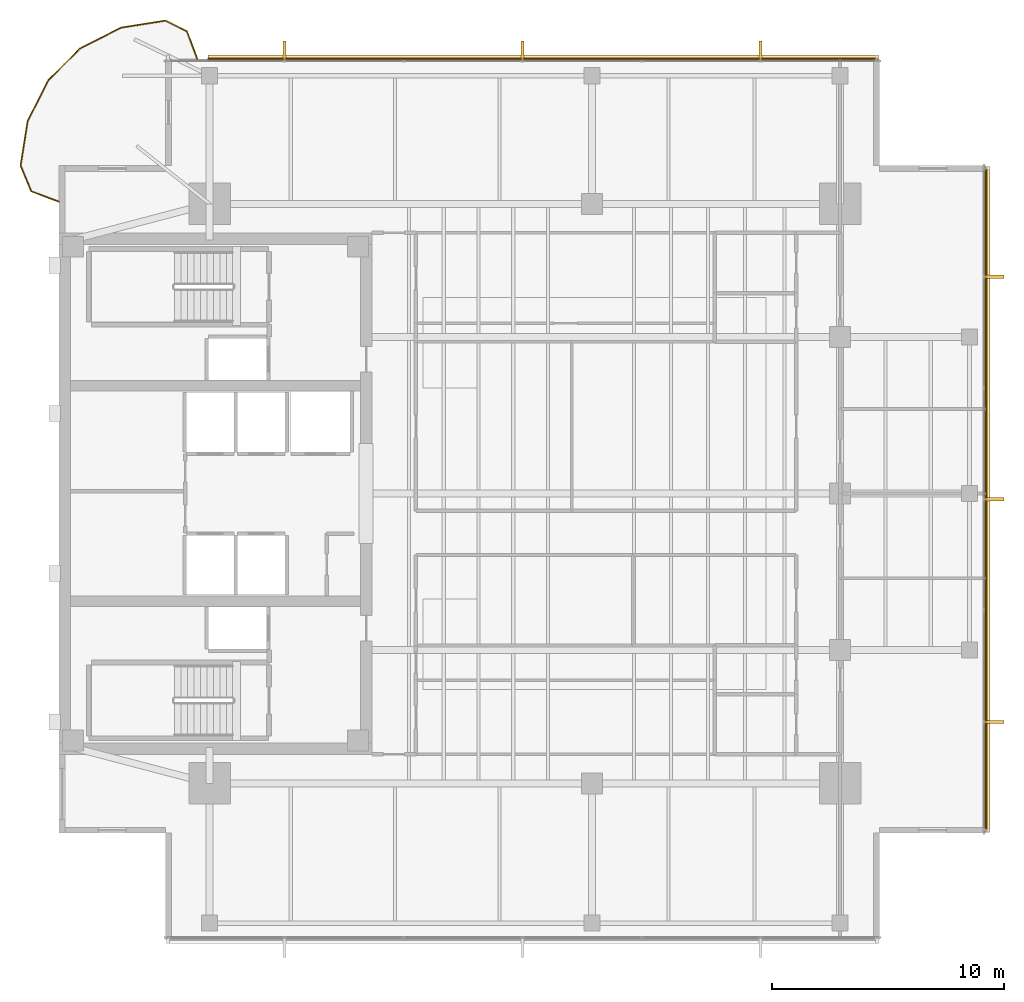
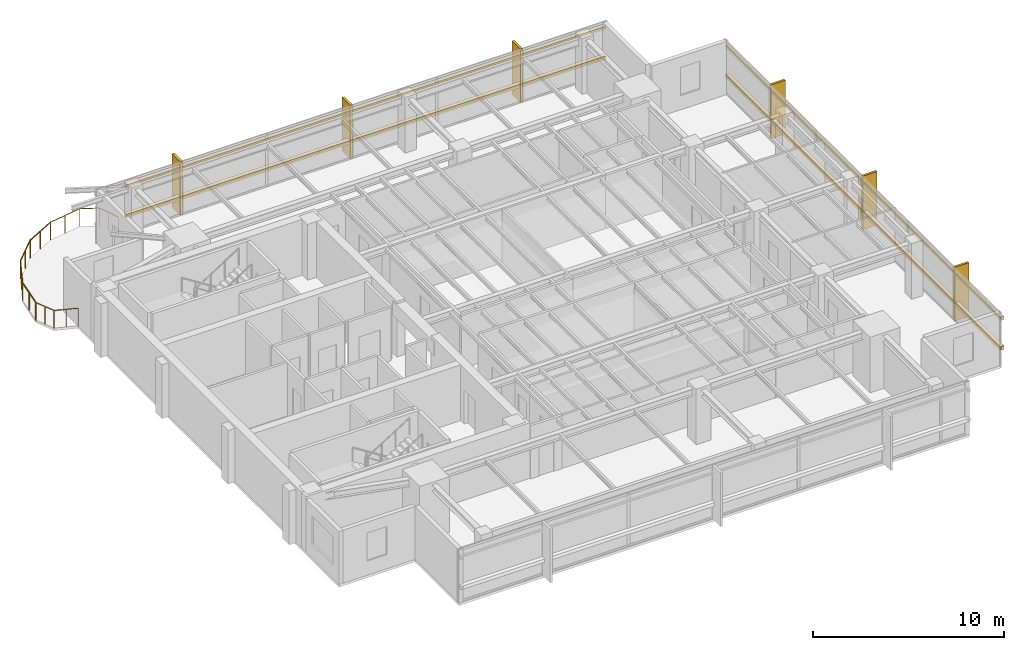
# One storey, part 14 of 14: 10 coverings, 9 railings, 4 shading devices.
"""IFC4 building model written with IfcOpenShell, lengths in metres."""

import ifcopenshell
import ifcopenshell.guid

model = None  # the IFC model being written
_history = None  # IfcOwnerHistory: only IFC2X3 demands one
_inside = {}  # id of a spatial element -> (the spatial element, [elements in it])
_under = {}  # id of a project, library or spatial element -> (it, [spatial elements below it])
_declared = {}  # id of a project -> (the project, [libraries it declares])
_typed = {}  # id of a type object -> (the type object, [elements of that type])
_made_of = {}  # id of a material, layer set ... -> (it, [elements and type objects made of it])


def new_model(schema):
    """Start an empty IFC model of exactly this schema.

    Asked for "IFC4X3", IfcOpenShell would pick the latest addendum, in which some entities
    have other attributes; the version numbers below select the first issue.
    IFC2X3 requires an IfcOwnerHistory on every rooted entity: one is made here for all.
    """
    global model, _history
    if schema == "IFC4X3":
        model = ifcopenshell.file(schema_version=(4, 3, 0, 0))
    else:
        model = ifcopenshell.file(schema=schema)
    _inside.clear()
    _under.clear()
    _declared.clear()
    _typed.clear()
    _made_of.clear()
    _history = None
    if model.schema == "IFC2X3":
        org = make("IfcOrganization", Name="unknown")
        user = make(
            "IfcPersonAndOrganization",
            ThePerson=make("IfcPerson", FamilyName="unknown"),
            TheOrganization=org,
        )
        app = make(
            "IfcApplication",
            ApplicationDeveloper=org,
            Version="unknown",
            ApplicationFullName="unknown",
            ApplicationIdentifier="unknown",
        )
        _history = make(
            "IfcOwnerHistory",
            OwningUser=user,
            OwningApplication=app,
            ChangeAction="ADDED",
            CreationDate=0,
        )
    return model


def make(cls, **values):
    """One entity of the class cls with the attributes given. An attribute that is None is left unset."""
    return model.create_entity(
        cls, **{name: value for name, value in values.items() if value is not None}
    )


def rooted(cls, **values):
    """An entity with a GlobalId (a new one), such as an element, a storey or a relation."""
    return make(cls, GlobalId=ifcopenshell.guid.new(), OwnerHistory=_history, **values)


def si_unit(unit_type, name, prefix=None):
    """IfcSIUnit, for example si_unit("LENGTHUNIT", "METRE", prefix="MILLI")."""
    return make("IfcSIUnit", UnitType=unit_type, Prefix=prefix, Name=name)


def assignment(units):
    """IfcUnitAssignment: the units of a project."""
    return None if units is None else make("IfcUnitAssignment", Units=units)


def point(xyz):
    """IfcCartesianPoint."""
    return None if xyz is None else make("IfcCartesianPoint", Coordinates=xyz)


def direction(xyz):
    """IfcDirection."""
    return None if xyz is None else make("IfcDirection", DirectionRatios=xyz)


def frame(location, z_axis=None, x_axis=None):
    """IfcAxis2Placement3D, a coordinate frame: its origin and axes. An axis left out is left unset."""
    return make(
        "IfcAxis2Placement3D",
        Location=point(location),
        Axis=direction(z_axis),
        RefDirection=direction(x_axis),
    )


def frame_2d(location, x_axis=None):
    """IfcAxis2Placement2D, a coordinate frame in the plane: its origin and x axis."""
    return make(
        "IfcAxis2Placement2D", Location=point(location), RefDirection=direction(x_axis)
    )


def origin():
    """The frame at (0, 0, 0) with its axes left unset."""
    return frame((0.0, 0.0, 0.0))


def origin_2d():
    """The frame at (0, 0) in the plane with its x axis left unset."""
    return frame_2d((0.0, 0.0))


def place(relative_to, where):
    """IfcLocalPlacement: puts the frame where relative to a parent placement (None: the world)."""
    return make(
        "IfcLocalPlacement", PlacementRelTo=relative_to, RelativePlacement=where
    )


def context(
    kind, dimensions, precision=None, world=None, true_north=None, identifier=None
):
    """IfcGeometricRepresentationContext, for example the 3D "Model" context."""
    return make(
        "IfcGeometricRepresentationContext",
        ContextIdentifier=identifier,
        ContextType=kind,
        CoordinateSpaceDimension=dimensions,
        Precision=precision,
        WorldCoordinateSystem=world,
        TrueNorth=true_north,
    )


def subcontext(parent, identifier, kind, view, scale=None):
    """IfcGeometricRepresentationSubContext, for example "Body" below "Model"."""
    return make(
        "IfcGeometricRepresentationSubContext",
        ContextIdentifier=identifier,
        ContextType=kind,
        ParentContext=parent,
        TargetScale=scale,
        TargetView=view,
    )


def project(units=None, contexts=None):
    """IfcProject with its units and contexts."""
    return rooted(
        "IfcProject",
        Name="project",
        RepresentationContexts=contexts,
        UnitsInContext=assignment(units),
    )


def spatial(cls, under=None, at=None, **own):
    """A site, building, storey or space (cls), placed at a placement, below another one or the project."""
    s = rooted(cls, ObjectPlacement=at, **own)
    if under is not None:
        _under.setdefault(under.id(), (under, []))[1].append(s)
    return s


def polyline(points):
    """IfcPolyline through the points."""
    return make("IfcPolyline", Points=[point(p) for p in points])


def profile(cls, at=None, kind="AREA", **sizes):
    """A parametric profile (cls). Its sizes go by their IFC names, for example OverallWidth=200.0."""
    return make(cls, ProfileType=kind, Position=at, **sizes)


def rectangle(**sizes):
    """IfcRectangleProfileDef."""
    return profile("IfcRectangleProfileDef", **sizes)


def circle(**sizes):
    """IfcCircleProfileDef."""
    return profile("IfcCircleProfileDef", **sizes)


def outline(outer, holes=None, kind="AREA"):
    """IfcArbitraryClosedProfileDef: a profile drawn as a closed curve; with holes, ...WithVoids."""
    if holes is None:
        return make("IfcArbitraryClosedProfileDef", ProfileType=kind, OuterCurve=outer)
    return make(
        "IfcArbitraryProfileDefWithVoids",
        ProfileType=kind,
        OuterCurve=outer,
        InnerCurves=holes,
    )


def extrude(swept, where, along, depth):
    """IfcExtrudedAreaSolid: the profile swept, set in the frame where, extruded along a direction by depth."""
    return make(
        "IfcExtrudedAreaSolid",
        SweptArea=swept,
        Position=where,
        ExtrudedDirection=direction(along),
        Depth=depth,
    )


def shape(context_of_items, identifier, shape_type, items):
    """IfcShapeRepresentation: the items that make up one representation, for example the "Body"."""
    return make(
        "IfcShapeRepresentation",
        ContextOfItems=context_of_items,
        RepresentationIdentifier=identifier,
        RepresentationType=shape_type,
        Items=items,
    )


def material(Name=None, Category=None):
    """IfcMaterial."""
    return make("IfcMaterial", Name=Name, Category=Category)


def layer(
    of_material, thickness, ventilated=None, Name=None, Category=None, Priority=None
):
    """IfcMaterialLayer: one layer of a wall or slab, of a material (None: an air gap)."""
    return make(
        "IfcMaterialLayer",
        Material=of_material,
        LayerThickness=thickness,
        IsVentilated=ventilated,
        Name=Name,
        Category=Category,
        Priority=Priority,
    )


def layer_set(layers, Name=None):
    """IfcMaterialLayerSet."""
    return make("IfcMaterialLayerSet", MaterialLayers=layers, LayerSetName=Name)


def material_profile(
    of_material, cross_section, Name=None, Category=None, Priority=None
):
    """IfcMaterialProfile: a cross section and its material."""
    return make(
        "IfcMaterialProfile",
        Name=Name,
        Material=of_material,
        Profile=cross_section,
        Priority=Priority,
        Category=Category,
    )


def profile_set(profiles, Name=None, composite=None):
    """IfcMaterialProfileSet."""
    return make(
        "IfcMaterialProfileSet",
        Name=Name,
        MaterialProfiles=profiles,
        CompositeProfile=composite,
    )


def made_of(thing, what):
    """Note that an element or type object is made of a material, layer set ...; save() writes the relation."""
    if what is not None:
        _made_of.setdefault(what.id(), (what, []))[1].append(thing)
    return thing


def type_object(cls, material=None, **own):
    """A type object (cls), such as IfcWallType, which elements share."""
    return made_of(rooted(cls, **own), material)


def element(
    cls,
    number,
    at=None,
    inside=None,
    cuts=None,
    type_object=None,
    material=None,
    context=None,
    identifier="Body",
    shape_type=None,
    held_by="IfcProductDefinitionShape",
    body=None,
    shapes=None,
    **own,
):
    """One element of the class cls, such as IfcWall. Its Tag is "e" and its number.

    at: its placement. inside: the storey or other place that contains it. cuts: it is an
    opening in that element (IfcRelVoidsElement). A single representation is given by context,
    identifier, shape_type and body (its items); several are given by shapes. held_by: the class
    of the entity that holds the representations. save() writes the other relations.
    """
    e = rooted(cls, Tag="e%d" % number, ObjectPlacement=at, **own)
    if body is not None:
        shapes = [shape(context, identifier, shape_type, body)]
    if shapes is not None:
        e.Representation = make(held_by, Representations=shapes)
    if inside is not None:
        _inside.setdefault(inside.id(), (inside, []))[1].append(e)
    if cuts is not None:
        rooted(
            "IfcRelVoidsElement", RelatingBuildingElement=cuts, RelatedOpeningElement=e
        )
    if type_object is not None:
        _typed.setdefault(type_object.id(), (type_object, []))[1].append(e)
    return made_of(e, material)


def aggregate(whole, parts):
    """IfcRelAggregates: a whole, such as a stair, and the parts it consists of."""
    return rooted("IfcRelAggregates", RelatingObject=whole, RelatedObjects=parts)


def save(model, path):
    """Write the relations noted so far, then the file.

    IfcRelAggregates (storeys below a building ...), IfcRelContainedInSpatialStructure (elements
    in a storey), IfcRelDefinesByType, IfcRelAssociatesMaterial and IfcRelDeclares: one each for
    every whole, place, type object, material and project.
    """
    for whole, parts in _under.values():
        aggregate(whole, parts)
    for where, things in _inside.values():
        rooted(
            "IfcRelContainedInSpatialStructure",
            RelatedElements=things,
            RelatingStructure=where,
        )
    for kind, things in _typed.values():
        rooted("IfcRelDefinesByType", RelatedObjects=things, RelatingType=kind)
    for what, things in _made_of.values():
        rooted("IfcRelAssociatesMaterial", RelatedObjects=things, RelatingMaterial=what)
    for by, libraries in _declared.values():
        rooted("IfcRelDeclares", RelatingContext=by, RelatedDefinitions=libraries)
    model.write(path)


model = new_model("IFC4")

# Units and contexts
model_context = context("Model", 3, precision=1e-05, world=origin(), true_north=direction((0.0, 1.0)))
body_context = subcontext(model_context, "Body", "Model", "MODEL_VIEW")
ifc_project = project(units=[si_unit("LENGTHUNIT", "METRE"), si_unit("AREAUNIT", "SQUARE_METRE"), si_unit("VOLUMEUNIT", "CUBIC_METRE"), si_unit("PLANEANGLEUNIT", "RADIAN"), si_unit("MASSUNIT", "GRAM", prefix="KILO")], contexts=[model_context])

# Site, building, storey
site_placement = place(None, origin())
site = spatial("IfcSite", under=ifc_project, at=site_placement, CompositionType="ELEMENT")
building_placement = place(site_placement, origin())
building = spatial("IfcBuilding", under=site, at=building_placement, Name="Kinhvarn Gate Tower", CompositionType="ELEMENT")
storey_placement = place(building_placement, frame((0.0, 0.0, 256.35009765625)))
storey = spatial("IfcBuildingStorey", under=building, at=storey_placement, Name="L68", CompositionType="ELEMENT", Elevation=256.35009765625)

# Coverings
ifc_material_1 = material(Name="Fired architectural terracotta", Category="masonry")
ifc_layer_1 = layer(ifc_material_1, 0.239990234375)
ifc_layer_set_1 = layer_set([ifc_layer_1], Name="Fired architectural terracotta")
covering_type_1 = type_object("IfcCoveringType", Name="COV-BAG-220", PredefinedType="CLADDING", material=ifc_layer_set_1)
for number, where, name in (
    (1, (0.0, 0.0, 0.93994140625), "Terracotta Horizontal Sunscreen Band TBG-220 (L68)"),
    (2, (0.0, 0.0, 2.829833984375), "Terracotta Horizontal Sunscreen Band TBG-220 (L68)"),
):
    element("IfcCovering", number, at=place(storey_placement, frame(where)), inside=storey, type_object=covering_type_1, Name=name, PredefinedType="CLADDING", context=body_context, shape_type="SweptSolid", body=[
        extrude(outline(polyline([(39.860107421875, 43.929931640625), (10.919921875, 43.929931640625), (10.919921875, 44.169921875), (39.860107421875, 44.169921875), (39.860107421875, 43.929931640625)])), origin(), (0.0, 0.0, 1.0), 0.219970703125),
    ])
for number, where, name in (
    (3, (0.0, 0.0, 0.93994140625), "Terracotta Horizontal Sunscreen Band TBG-220 (L68)"),
    (4, (0.0, 0.0, 2.829833984375), "Terracotta Horizontal Sunscreen Band TBG-220 (L68)"),
):
    element("IfcCovering", number, at=place(storey_placement, frame(where)), inside=storey, type_object=covering_type_1, Name=name, PredefinedType="CLADDING", context=body_context, shape_type="SweptSolid", body=[
        extrude(outline(polyline([(44.429931640625, 10.639892578125), (44.429931640625, 39.360107421875), (44.669921875, 39.360107421875), (44.669921875, 10.639892578125), (44.429931640625, 10.639892578125)])), origin(), (0.0, 0.0, 1.0), 0.219970703125),
    ])
ifc_layer_2 = layer(ifc_material_1, 0.139892578125)
ifc_layer_set_2 = layer_set([ifc_layer_2], Name="Fired architectural terracotta")
covering_type_2 = type_object("IfcCoveringType", Name="COV-FIN-850", PredefinedType="CLADDING", material=ifc_layer_set_2)
covering_1_placement = place(storey_placement, frame((0.0, 0.0, -0.02001953125)))
element("IfcCovering", 5, at=covering_1_placement, inside=storey, type_object=covering_type_2, Name="Vertical Terracotta Expressive Fin TFN-850 (L68)", PredefinedType="CLADDING", context=body_context, shape_type="SweptSolid", body=[
    extrude(outline(polyline([(34.836669921875, 43.919921875), (34.69677734375, 43.919921875), (34.69677734375, 44.77001953125), (34.836669921875, 44.77001953125), (34.836669921875, 43.919921875)])), origin(), (0.0, 0.0, 1.0), 3.429931640625),
])
covering_2_placement = place(storey_placement, frame((0.0, 0.0, -0.02001953125)))
element("IfcCovering", 6, at=covering_2_placement, inside=storey, type_object=covering_type_2, Name="Vertical Terracotta Expressive Fin TFN-850 (L68)", PredefinedType="CLADDING", context=body_context, shape_type="SweptSolid", body=[
    extrude(outline(polyline([(24.570068359375, 43.919921875), (24.429931640625, 43.919921875), (24.429931640625, 44.77001953125), (24.570068359375, 44.77001953125), (24.570068359375, 43.919921875)])), origin(), (0.0, 0.0, 1.0), 3.429931640625),
])
covering_3_placement = place(storey_placement, frame((0.0, 0.0, -0.02001953125)))
element("IfcCovering", 7, at=covering_3_placement, inside=storey, type_object=covering_type_2, Name="Vertical Terracotta Expressive Fin TFN-850 (L68)", PredefinedType="CLADDING", context=body_context, shape_type="SweptSolid", body=[
    extrude(outline(polyline([(14.30322265625, 43.919921875), (14.163330078125, 43.919921875), (14.163330078125, 44.77001953125), (14.30322265625, 44.77001953125), (14.30322265625, 43.919921875)])), origin(), (0.0, 0.0, 1.0), 3.429931640625),
])
covering_4_placement = place(storey_placement, frame((0.0, 0.0, -0.02001953125)))
element("IfcCovering", 8, at=covering_4_placement, inside=storey, type_object=covering_type_2, Name="Vertical Terracotta Expressive Fin TFN-850 (L68)", PredefinedType="CLADDING", context=body_context, shape_type="SweptSolid", body=[
    extrude(outline(polyline([(44.419921875, 15.330078125), (44.419921875, 15.469970703125), (45.27001953125, 15.469970703125), (45.27001953125, 15.330078125), (44.419921875, 15.330078125)])), origin(), (0.0, 0.0, 1.0), 3.429931640625),
])
covering_5_placement = place(storey_placement, frame((0.0, 0.0, -0.02001953125)))
element("IfcCovering", 9, at=covering_5_placement, inside=storey, type_object=covering_type_2, Name="Vertical Terracotta Expressive Fin TFN-850 (L68)", PredefinedType="CLADDING", context=body_context, shape_type="SweptSolid", body=[
    extrude(outline(polyline([(44.419921875, 24.929931640625), (44.419921875, 25.070068359375), (45.27001953125, 25.070068359375), (45.27001953125, 24.929931640625), (44.419921875, 24.929931640625)])), origin(), (0.0, 0.0, 1.0), 3.429931640625),
])
covering_6_placement = place(storey_placement, frame((0.0, 0.0, -0.02001953125)))
element("IfcCovering", 10, at=covering_6_placement, inside=storey, type_object=covering_type_2, Name="Vertical Terracotta Expressive Fin TFN-850 (L68)", PredefinedType="CLADDING", context=body_context, shape_type="SweptSolid", body=[
    extrude(outline(polyline([(44.419921875, 34.530029296875), (44.419921875, 34.669921875), (45.27001953125, 34.669921875), (45.27001953125, 34.530029296875), (44.419921875, 34.530029296875)])), origin(), (0.0, 0.0, 1.0), 3.429931640625),
])

# Railings
ifc_material_2 = material(Name="Clear low-e double glazing", Category="glass")
railing_type = type_object("IfcRailingType", Name="RL-BAL-1150", PredefinedType="BALUSTRADE", material=ifc_material_2)
railing_1_placement = place(storey_placement, frame((10.469970703125, 44.0, 0.0)))
element("IfcRailing", 11, at=railing_1_placement, inside=storey, type_object=railing_type, Name="S-Carve Balcony Guardrail Seg 1 (L68)", PredefinedType="BALUSTRADE", context=body_context, shape_type="SweptSolid", body=[
    extrude(circle(Radius=0.02392578125, at=origin_2d()), frame((0.0, 0.0, 1.1259765625), z_axis=(-0.352864351056, 0.935674489208, 0.0), x_axis=(-0.935674489208, -0.352864351056, 0.0)), (0.0, 0.0, 1.0), 1.275146484375),
    extrude(circle(Radius=0.02099609375, at=origin_2d()), origin(), (0.0, 0.0, 1.0), 1.101806640625),
    extrude(circle(Radius=0.02099609375, at=origin_2d()), frame((-0.22509765625, 0.5966796875, 0.0)), (0.0, 0.0, 1.0), 1.101806640625),
    extrude(circle(Radius=0.02099609375, at=origin_2d()), frame((-0.449951171875, 1.193115234375, 0.0)), (0.0, 0.0, 1.0), 1.101806640625),
])
railing_2_placement = place(storey_placement, frame((10.02001953125, 45.193115234375, 0.0)))
element("IfcRailing", 12, at=railing_2_placement, inside=storey, type_object=railing_type, Name="S-Carve Balcony Guardrail Seg 2 (L68)", PredefinedType="BALUSTRADE", context=body_context, shape_type="SweptSolid", body=[
    extrude(circle(Radius=0.02392578125, at=origin_2d()), frame((0.0, 0.0, 1.1259765625), z_axis=(-0.892905435572, 0.450244248298, 0.0), x_axis=(-0.450244248298, -0.892905435572, 0.0)), (0.0, 0.0, 1.0), 1.0302734375),
    extrude(circle(Radius=0.02099609375, at=origin_2d()), origin(), (0.0, 0.0, 1.0), 1.101806640625),
    extrude(circle(Radius=0.02099609375, at=origin_2d()), frame((-0.919921875, 0.4638671875, 0.0)), (0.0, 0.0, 1.0), 1.101806640625),
])
railing_3_placement = place(storey_placement, frame((9.10009765625, 45.656982421875, 0.0)))
element("IfcRailing", 13, at=railing_3_placement, inside=storey, type_object=railing_type, Name="S-Carve Balcony Guardrail Seg 3 (L68)", PredefinedType="BALUSTRADE", context=body_context, shape_type="SweptSolid", body=[
    extrude(circle(Radius=0.02392578125, at=origin_2d()), frame((0.0, 0.0, 1.1259765625), z_axis=(-0.987696138675, -0.156385221957, 0.0), x_axis=(0.156385221957, -0.987696138675, 0.0)), (0.0, 0.0, 1.0), 1.957763671875),
    extrude(circle(Radius=0.02099609375, at=origin_2d()), origin(), (0.0, 0.0, 1.0), 1.101806640625),
    extrude(circle(Radius=0.02099609375, at=origin_2d()), frame((-0.966796875, -0.153076171875, 0.0)), (0.0, 0.0, 1.0), 1.101806640625),
    extrude(circle(Radius=0.02099609375, at=origin_2d()), frame((-1.93359375, -0.30615234375, 0.0)), (0.0, 0.0, 1.0), 1.101806640625),
])
railing_4_placement = place(storey_placement, frame((7.16650390625, 45.350830078125, 0.0)))
element("IfcRailing", 14, at=railing_4_placement, inside=storey, type_object=railing_type, Name="S-Carve Balcony Guardrail Seg 4 (L68)", PredefinedType="BALUSTRADE", context=body_context, shape_type="SweptSolid", body=[
    extrude(circle(Radius=0.02392578125, at=origin_2d()), frame((0.0, 0.0, 1.1259765625), z_axis=(-0.890984295017, -0.454034124305, 0.0), x_axis=(0.454034124305, -0.890984295017, 0.0)), (0.0, 0.0, 1.0), 1.957763671875),
    extrude(circle(Radius=0.02099609375, at=origin_2d()), origin(), (0.0, 0.0, 1.0), 1.101806640625),
    extrude(circle(Radius=0.02099609375, at=origin_2d()), frame((-0.8720703125, -0.4443359375, 0.0)), (0.0, 0.0, 1.0), 1.101806640625),
    extrude(circle(Radius=0.02099609375, at=origin_2d()), frame((-1.744384765625, -0.888916015625, 0.0)), (0.0, 0.0, 1.0), 1.101806640625),
])
railing_5_placement = place(storey_placement, frame((5.422119140625, 44.4619140625, 0.0)))
element("IfcRailing", 15, at=railing_5_placement, inside=storey, type_object=railing_type, Name="S-Carve Balcony Guardrail Seg 5 (L68)", PredefinedType="BALUSTRADE", context=body_context, shape_type="SweptSolid", body=[
    extrude(circle(Radius=0.02392578125, at=origin_2d()), frame((0.0, 0.0, 1.1259765625), z_axis=(-0.707106781187, -0.707106781187, 0.0), x_axis=(0.707106781187, -0.707106781187, 0.0)), (0.0, 0.0, 1.0), 1.957275390625),
    extrude(circle(Radius=0.02099609375, at=origin_2d()), origin(), (0.0, 0.0, 1.0), 1.101806640625),
    extrude(circle(Radius=0.02099609375, at=origin_2d()), frame((-0.69189453125, -0.69189453125, 0.0)), (0.0, 0.0, 1.0), 1.101806640625),
    extrude(circle(Radius=0.02099609375, at=origin_2d()), frame((-1.384033203125, -1.384033203125, 0.0)), (0.0, 0.0, 1.0), 1.101806640625),
])
railing_6_placement = place(storey_placement, frame((4.0380859375, 43.077880859375, 0.0)))
element("IfcRailing", 16, at=railing_6_placement, inside=storey, type_object=railing_type, Name="S-Carve Balcony Guardrail Seg 6 (L68)", PredefinedType="BALUSTRADE", context=body_context, shape_type="SweptSolid", body=[
    extrude(circle(Radius=0.02392578125, at=origin_2d()), frame((0.0, 0.0, 1.1259765625), z_axis=(-0.454034124305, -0.890984295017, 0.0), x_axis=(0.890984295017, -0.454034124305, 0.0)), (0.0, 0.0, 1.0), 1.957763671875),
    extrude(circle(Radius=0.02099609375, at=origin_2d()), origin(), (0.0, 0.0, 1.0), 1.101806640625),
    extrude(circle(Radius=0.02099609375, at=origin_2d()), frame((-0.4443359375, -0.8720703125, 0.0)), (0.0, 0.0, 1.0), 1.101806640625),
    extrude(circle(Radius=0.02099609375, at=origin_2d()), frame((-0.888916015625, -1.744384765625, 0.0)), (0.0, 0.0, 1.0), 1.101806640625),
])
railing_7_placement = place(storey_placement, frame((3.149169921875, 41.33349609375, 0.0)))
element("IfcRailing", 17, at=railing_7_placement, inside=storey, type_object=railing_type, Name="S-Carve Balcony Guardrail Seg 7 (L68)", PredefinedType="BALUSTRADE", context=body_context, shape_type="SweptSolid", body=[
    extrude(circle(Radius=0.02392578125, at=origin_2d()), frame((0.0, 0.0, 1.1259765625), z_axis=(-0.156385221957, -0.987696138675, 0.0), x_axis=(0.987696138675, -0.156385221957, 0.0)), (0.0, 0.0, 1.0), 1.957763671875),
    extrude(circle(Radius=0.02099609375, at=origin_2d()), origin(), (0.0, 0.0, 1.0), 1.101806640625),
    extrude(circle(Radius=0.02099609375, at=origin_2d()), frame((-0.153076171875, -0.966796875, 0.0)), (0.0, 0.0, 1.0), 1.101806640625),
    extrude(circle(Radius=0.02099609375, at=origin_2d()), frame((-0.30615234375, -1.93359375, 0.0)), (0.0, 0.0, 1.0), 1.101806640625),
])
railing_8_placement = place(storey_placement, frame((2.843017578125, 39.39990234375, 0.0)))
element("IfcRailing", 18, at=railing_8_placement, inside=storey, type_object=railing_type, Name="S-Carve Balcony Guardrail Seg 8 (L68)", PredefinedType="BALUSTRADE", context=body_context, shape_type="SweptSolid", body=[
    extrude(circle(Radius=0.02392578125, at=origin_2d()), frame((0.0, 0.0, 1.1259765625), z_axis=(0.385912998883, -0.922535179434, 0.0), x_axis=(0.922535179434, 0.385912998883, 0.0)), (0.0, 0.0, 1.0), 1.201904296875),
    extrude(circle(Radius=0.02099609375, at=origin_2d()), origin(), (0.0, 0.0, 1.0), 1.101806640625),
    extrude(circle(Radius=0.02099609375, at=origin_2d()), frame((0.23193359375, -0.554443359375, 0.0)), (0.0, 0.0, 1.0), 1.101806640625),
    extrude(circle(Radius=0.02099609375, at=origin_2d()), frame((0.4638671875, -1.10888671875, 0.0)), (0.0, 0.0, 1.0), 1.101806640625),
])
railing_9_placement = place(storey_placement, frame((3.306884765625, 38.291015625, 0.0)))
element("IfcRailing", 19, at=railing_9_placement, inside=storey, type_object=railing_type, Name="S-Carve Balcony Guardrail Seg 9 (L68)", PredefinedType="BALUSTRADE", context=body_context, shape_type="SweptSolid", body=[
    extrude(circle(Radius=0.02392578125, at=origin_2d()), frame((0.0, 0.0, 1.1259765625), z_axis=(0.935674489208, -0.352864351056, 0.0), x_axis=(0.352864351056, 0.935674489208, 0.0)), (0.0, 0.0, 1.0), 1.275146484375),
    extrude(circle(Radius=0.02099609375, at=origin_2d()), origin(), (0.0, 0.0, 1.0), 1.101806640625),
    extrude(circle(Radius=0.02099609375, at=origin_2d()), frame((0.5966796875, -0.22509765625, 0.0)), (0.0, 0.0, 1.0), 1.101806640625),
    extrude(circle(Radius=0.02099609375, at=origin_2d()), frame((1.193115234375, -0.449951171875, 0.0)), (0.0, 0.0, 1.0), 1.101806640625),
])

# Shading devices
ifc_material_profile = material_profile(ifc_material_1, rectangle(XDim=0.050048828125, YDim=0.1201171875, at=origin_2d()), Name="TC 50x120")
ifc_profile_set = profile_set([ifc_material_profile], Name="Fired architectural terracotta")
shading_device_type = type_object("IfcShadingDeviceType", Name="SHD-BAG-140", PredefinedType="USERDEFINED", material=ifc_profile_set)
for number, where, z_axis, x_axis, name in (
    (20, (39.860107421875, 44.0, 1.0498046875), (-1.0, 0.0, 0.0), (0.0, -1.0, 0.0), "Upper Tower Terracotta Baguette Screen Rod 50x120 mm (L68)"),
    (21, (39.860107421875, 44.0, 2.93994140625), (-1.0, 0.0, 0.0), (0.0, -1.0, 0.0), "Upper Tower Terracotta Baguette Screen Rod 50x120 mm (L68)"),
):
    element("IfcShadingDevice", number, at=place(storey_placement, frame(where, z_axis=z_axis, x_axis=x_axis)), inside=storey, type_object=shading_device_type, Name=name, ObjectType="BAGUETTE", PredefinedType="USERDEFINED", context=body_context, shape_type="SweptSolid", body=[
        extrude(rectangle(XDim=0.050048828125, YDim=0.1201171875, at=origin_2d()), origin(), (0.0, 0.0, 1.0), 28.940185546875),
    ])
for number, where, z_axis, x_axis, name in (
    (22, (44.5, 10.639892578125, 1.0498046875), (0.0, 1.0, 0.0), (-1.0, 0.0, 0.0), "Upper Tower Terracotta Baguette Screen Rod 50x120 mm (L68)"),
    (23, (44.5, 10.639892578125, 2.93994140625), (0.0, 1.0, 0.0), (-1.0, 0.0, 0.0), "Upper Tower Terracotta Baguette Screen Rod 50x120 mm (L68)"),
):
    element("IfcShadingDevice", number, at=place(storey_placement, frame(where, z_axis=z_axis, x_axis=x_axis)), inside=storey, type_object=shading_device_type, Name=name, ObjectType="BAGUETTE", PredefinedType="USERDEFINED", context=body_context, shape_type="SweptSolid", body=[
        extrude(rectangle(XDim=0.050048828125, YDim=0.1201171875, at=origin_2d()), origin(), (0.0, 0.0, 1.0), 28.72021484375),
    ])

save(model, "model.ifc")
